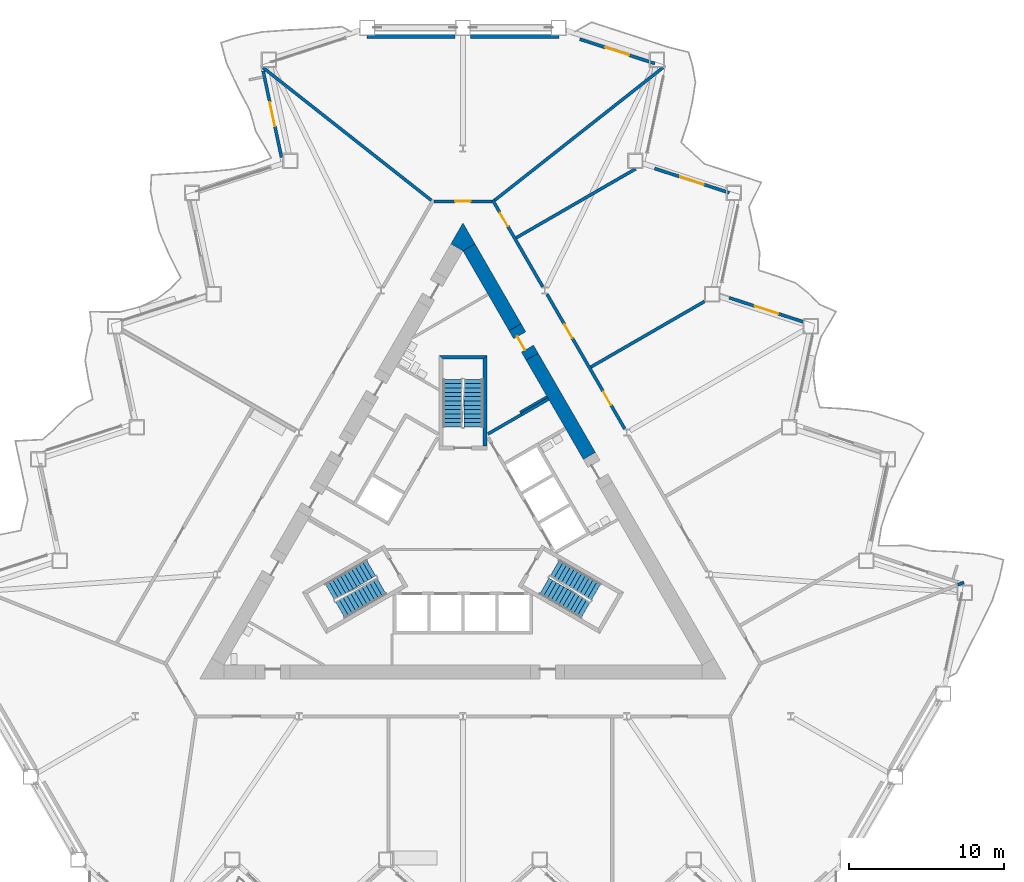
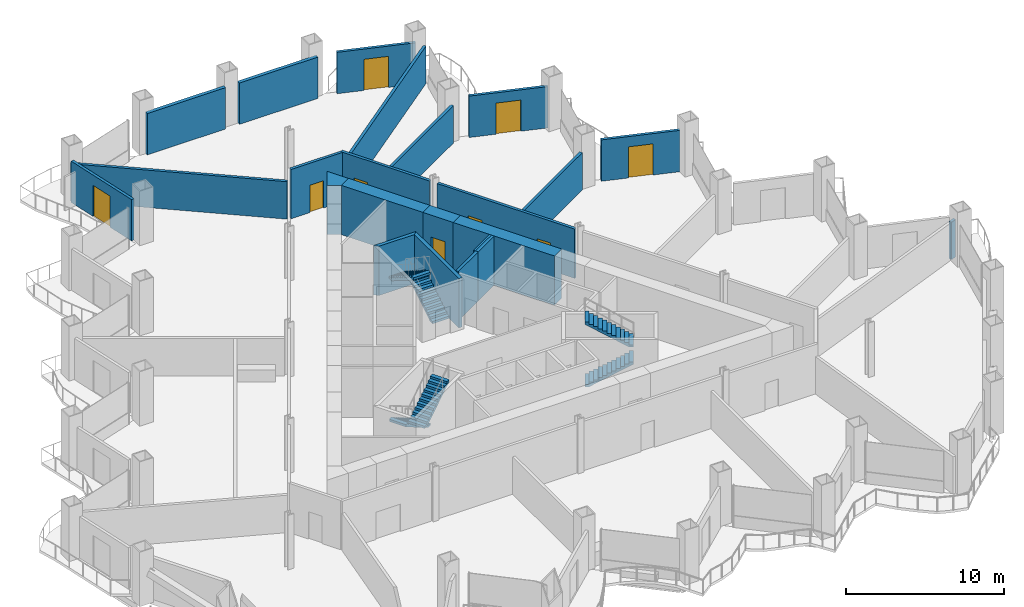
# One storey, part 12 of 20: 23 walls, 9 doors, 6 stair flights, 9 openings, 3 elements without a shape of their own.
"""IFC4 building model written with IfcOpenShell, lengths in metres."""

from ifc_helpers import new_model, si_unit, direction, frame, frame_2d, origin, place, context, subcontext, project, spatial, polyline, rectangle, outline, extrude, material, layer, layer_set, type_object, element, fill, aggregate, save


model = new_model("IFC4")

# Units and contexts
model_context = context("Model", 3, precision=1e-05, world=origin(), true_north=direction((0.0, 1.0)))
body_context = subcontext(model_context, "Body", "Model", "MODEL_VIEW")
ifc_project = project(units=[si_unit("LENGTHUNIT", "METRE"), si_unit("AREAUNIT", "SQUARE_METRE"), si_unit("VOLUMEUNIT", "CUBIC_METRE"), si_unit("PLANEANGLEUNIT", "RADIAN"), si_unit("MASSUNIT", "GRAM", prefix="KILO")], contexts=[model_context])

# Site, building, storey
site_placement = place(None, origin())
site = spatial("IfcSite", under=ifc_project, at=site_placement, CompositionType="ELEMENT")
building_placement = place(site_placement, origin())
building = spatial("IfcBuilding", under=site, at=building_placement, Name="Cormorant Prow Tower", CompositionType="ELEMENT")
storey_placement = place(building_placement, frame((0.0, 0.0, 34.199951171875)))
storey = spatial("IfcBuildingStorey", under=building, at=storey_placement, Name="L06", CompositionType="ELEMENT", Elevation=34.199951171875)

# Walls
ifc_material_1 = material(Name="Gypsum board partition")
ifc_layer_1 = layer(ifc_material_1, 0.14990234375)
ifc_layer_set_1 = layer_set([ifc_layer_1], Name="Gypsum board partition")
wall_type_1 = type_object("IfcWallType", Name="Core partition 150", PredefinedType="PARTITIONING", material=ifc_layer_set_1)
wall_1_placement = place(storey_placement, frame((3.693359375, 7.4150390625, 0.0), z_axis=(0.0, 0.0, 1.0), x_axis=(0.866035824272, 0.499981950752, 0.0)))
element("IfcWall", 1, at=wall_1_placement, inside=storey, type_object=wall_type_1, Name="Service room partition", PredefinedType="PARTITIONING", context=body_context, shape_type="SweptSolid", body=[
    extrude(rectangle(XDim=2.0087890625, YDim=0.14990234375, at=frame_2d((1.00439453125, 0.0))), origin(), (0.0, 0.0, 1.0), 3.800048828125),
])
ifc_material_2 = material(Name="Concrete 8000 psi", Category="concrete")
ifc_layer_2 = layer(ifc_material_2, 0.89990234375)
ifc_layer_set_2 = layer_set([ifc_layer_2], Name="Concrete 8000 psi")
wall_type_2 = type_object("IfcWallType", Name="Core shear wall 900", PredefinedType="SHEAR", material=ifc_layer_set_2)
wall_2_placement = place(storey_placement, frame((8.160400390625, 4.595947265625, 0.0), z_axis=(0.0, 0.0, 1.0), x_axis=(-0.500012259336, 0.866018325738, 0.0)))
element("IfcWall", 2, at=wall_2_placement, inside=storey, type_object=wall_type_2, Name="Core wall", PredefinedType="SHEAR", context=body_context, shape_type="SweptSolid", body=[
    extrude(rectangle(XDim=7.389404296875, YDim=0.89990234375, at=frame_2d((3.69482421875, 0.0))), origin(), (0.0, 0.0, 1.0), 3.800048828125),
])
wall_3_placement = place(storey_placement, frame((3.365478515625, 12.900390625, 0.0), z_axis=(0.0, 0.0, 1.0), x_axis=(-0.499981657175, 0.86603599376, 0.0)))
element("IfcWall", 3, at=wall_3_placement, inside=storey, type_object=wall_type_2, Name="Core wall", PredefinedType="SHEAR", context=body_context, shape_type="SweptSolid", body=[
    extrude(rectangle(XDim=5.951904296875, YDim=0.89990234375, at=frame_2d((2.97607421875, 0.0))), origin(), (0.0, 0.0, 1.0), 3.800048828125),
])
wall_4_placement = place(storey_placement, origin())
element("IfcWall", 4, at=wall_4_placement, inside=storey, type_object=wall_type_2, Name="Core wall corner", PredefinedType="SHEAR", context=body_context, shape_type="SweptSolid", body=[
    extrude(outline(polyline([(-0.779296875, 18.27978515625), (0.0, 19.6298828125), (0.779296875, 18.27978515625), (0.0, 17.829833984375), (-0.779296875, 18.27978515625)])), origin(), (0.0, 0.0, 1.0), 3.800048828125),
])

# Wall, opening, door
wall_5_placement = place(storey_placement, frame((4.465576171875, 10.995361328125, 0.0), z_axis=(0.0, 0.0, 1.0), x_axis=(-0.500077893725, 0.86598042715, 0.0)))
wall_5 = element("IfcWall", 5, at=wall_5_placement, inside=storey, type_object=wall_type_2, Name="Core wall door panel", PredefinedType="SHEAR", context=body_context, shape_type="SweptSolid", body=[
    extrude(rectangle(XDim=2.199951171875, YDim=0.89990234375, at=frame_2d((1.10009765625, 0.0))), origin(), (0.0, 0.0, 1.0), 3.800048828125),
])
opening_1_placement = place(wall_5_placement, frame((0.60009765625, 0.0, 0.0)))
opening_1 = element("IfcOpeningElement", 6, at=opening_1_placement, cuts=wall_5, Name="Opening L06-C20", PredefinedType="OPENING", context=body_context, shape_type="SweptSolid", body=[
    extrude(rectangle(XDim=1.0, YDim=2.10009765625, at=frame_2d((0.5, 1.050048828125))), frame((0.0, 0.4599609375, 0.0), z_axis=(0.0, -1.0, 0.0), x_axis=(1.0, 0.0, 0.0)), (0.0, 0.0, 1.0), 0.919921875),
])
ifc_material_3 = material(Name="Painted steel", Category="steel")
door_type_1 = type_object("IfcDoorType", Name="Service door 1000x2100", OperationType="NOTDEFINED", PredefinedType="DOOR", material=ifc_material_3)
door_1_placement = place(opening_1_placement, origin())
door_1 = element("IfcDoor", 7, at=door_1_placement, inside=storey, type_object=door_type_1, Name="Core door, Toilets (women) L06", OperationType="SINGLE_SWING_RIGHT", OverallHeight=2.10009765625, OverallWidth=1.0, PredefinedType="DOOR", context=body_context, shape_type="SweptSolid", body=[
    extrude(rectangle(XDim=1.0, YDim=2.10009765625, at=frame_2d((0.5, 1.050048828125))), frame((0.0, 0.205078125, 0.0), z_axis=(0.0, -1.0, 0.0), x_axis=(1.0, 0.0, 0.0)), (0.0, 0.0, 1.0), 0.050048828125),
])
fill(opening_1, door_1)

# Wall, openings, doors
ifc_material_4 = material(Name="Gypsum board corridor wall")
ifc_layer_3 = layer(ifc_material_4, 0.199951171875)
ifc_layer_set_3 = layer_set([ifc_layer_3], Name="Gypsum board corridor wall")
wall_type_3 = type_object("IfcWallType", Name="Corridor wall 200", PredefinedType="PARTITIONING", material=ifc_layer_set_3)
wall_6_placement = place(storey_placement, frame((5.42919921875, 15.0263671875, 0.0), z_axis=(0.0, 0.0, 1.0), x_axis=(0.50001002959, -0.86601961312, 0.0)))
wall_6 = element("IfcWall", 8, at=wall_6_placement, inside=storey, type_object=wall_type_3, Name="Corridor wall", PredefinedType="PARTITIONING", context=body_context, shape_type="SweptSolid", body=[
    extrude(rectangle(XDim=10.018798828125, YDim=0.199951171875, at=frame_2d((5.00927734375, 0.0))), origin(), (0.0, 0.0, 1.0), 3.800048828125),
])
opening_2_placement = place(wall_6_placement, frame((7.265625, 0.0, 0.0)))
opening_2 = element("IfcOpeningElement", 9, at=opening_2_placement, cuts=wall_6, Name="Opening L06-F07", PredefinedType="OPENING", context=body_context, shape_type="SweptSolid", body=[
    extrude(rectangle(XDim=1.0, YDim=2.10009765625, at=frame_2d((0.5, 1.050048828125))), frame((0.0, 0.10986328125, 0.0), z_axis=(0.0, -1.0, 0.0), x_axis=(1.0, 0.0, 0.0)), (0.0, 0.0, 1.0), 0.219970703125),
])
opening_3_placement = place(wall_6_placement, frame((2.25439453125, 0.0, 0.0)))
opening_3 = element("IfcOpeningElement", 10, at=opening_3_placement, cuts=wall_6, Name="Opening L06-F08", PredefinedType="OPENING", context=body_context, shape_type="SweptSolid", body=[
    extrude(rectangle(XDim=1.0, YDim=2.10009765625, at=frame_2d((0.5, 1.050048828125))), frame((0.0, 0.10986328125, 0.0), z_axis=(0.0, -1.0, 0.0), x_axis=(1.0, 0.0, 0.0)), (0.0, 0.0, 1.0), 0.219970703125),
])
ifc_material_5 = material(Name="Timber door leaf", Category="wood")
door_type_2 = type_object("IfcDoorType", Name="Office door 1000x2100", OperationType="NOTDEFINED", PredefinedType="DOOR", material=ifc_material_5)
door_2_placement = place(opening_2_placement, origin())
door_2 = element("IfcDoor", 11, at=door_2_placement, inside=storey, type_object=door_type_2, Name="Open-plan office door", OperationType="SINGLE_SWING_LEFT", OverallHeight=2.10009765625, OverallWidth=1.0, PredefinedType="DOOR", context=body_context, shape_type="SweptSolid", body=[
    extrude(rectangle(XDim=1.0, YDim=2.10009765625, at=frame_2d((0.5, 1.050048828125))), frame((0.0, 0.02490234375, 0.0), z_axis=(0.0, -1.0, 0.0), x_axis=(1.0, 0.0, 0.0)), (0.0, 0.0, 1.0), 0.050048828125),
])
fill(opening_2, door_2)
door_3_placement = place(opening_3_placement, origin())
door_3 = element("IfcDoor", 12, at=door_3_placement, inside=storey, type_object=door_type_2, Name="Tenant suite door", OperationType="SINGLE_SWING_RIGHT", OverallHeight=2.10009765625, OverallWidth=1.0, PredefinedType="DOOR", context=body_context, shape_type="SweptSolid", body=[
    extrude(rectangle(XDim=1.0, YDim=2.10009765625, at=frame_2d((0.5, 1.050048828125))), frame((0.0, 0.02490234375, 0.0), z_axis=(0.0, -1.0, 0.0), x_axis=(1.0, 0.0, 0.0)), (0.0, 0.0, 1.0), 0.050048828125),
])
fill(opening_3, door_3)

# Wall, opening, door
wall_7_placement = place(storey_placement, frame((1.9130859375, 21.116455078125, 0.0), z_axis=(0.0, 0.0, 1.0), x_axis=(0.500001069878, -0.866024786089, 0.0)))
wall_7 = element("IfcWall", 13, at=wall_7_placement, inside=storey, type_object=wall_type_3, Name="Corridor wall", PredefinedType="PARTITIONING", context=body_context, shape_type="SweptSolid", body=[
    extrude(rectangle(XDim=6.47265625, YDim=0.199951171875, at=frame_2d((3.236328125, 0.0))), origin(), (0.0, 0.0, 1.0), 3.800048828125),
])
opening_4_placement = place(wall_7_placement, frame((0.96044921875, 0.0, 0.0)))
opening_4 = element("IfcOpeningElement", 14, at=opening_4_placement, cuts=wall_7, Name="Opening L06-F09", PredefinedType="OPENING", context=body_context, shape_type="SweptSolid", body=[
    extrude(rectangle(XDim=1.0, YDim=2.10009765625, at=frame_2d((0.5, 1.050048828125))), frame((0.0, 0.10986328125, 0.0), z_axis=(0.0, -1.0, 0.0), x_axis=(1.0, 0.0, 0.0)), (0.0, 0.0, 1.0), 0.219970703125),
])
door_4_placement = place(opening_4_placement, origin())
door_4 = element("IfcDoor", 15, at=door_4_placement, inside=storey, type_object=door_type_2, Name="Private office door", OperationType="SINGLE_SWING_RIGHT", OverallHeight=2.10009765625, OverallWidth=1.0, PredefinedType="DOOR", context=body_context, shape_type="SweptSolid", body=[
    extrude(rectangle(XDim=1.0, YDim=2.10009765625, at=frame_2d((0.5, 1.050048828125))), frame((0.0, 0.02490234375, 0.0), z_axis=(0.0, -1.0, 0.0), x_axis=(1.0, 0.0, 0.0)), (0.0, 0.0, 1.0), 0.050048828125),
])
fill(opening_4, door_4)

wall_8_placement = place(storey_placement, frame((-1.863037109375, 21.02978515625, 0.0), z_axis=(0.0, 0.0, 1.0), x_axis=(1.0, 0.0, 0.0)))
wall_8 = element("IfcWall", 16, at=wall_8_placement, inside=storey, type_object=wall_type_3, Name="Corridor wall", PredefinedType="PARTITIONING", context=body_context, shape_type="SweptSolid", body=[
    extrude(rectangle(XDim=3.72607421875, YDim=0.199951171875, at=frame_2d((1.863037109375, 0.0))), origin(), (0.0, 0.0, 1.0), 3.800048828125),
])
opening_5_placement = place(wall_8_placement, frame((1.363037109375, 0.0, 0.0)))
opening_5 = element("IfcOpeningElement", 17, at=opening_5_placement, cuts=wall_8, Name="Opening L06-F10", PredefinedType="OPENING", context=body_context, shape_type="SweptSolid", body=[
    extrude(rectangle(XDim=1.0, YDim=2.10009765625, at=frame_2d((0.5, 1.050048828125))), frame((0.0, 0.10986328125, 0.0), z_axis=(0.0, -1.0, 0.0), x_axis=(1.0, 0.0, 0.0)), (0.0, 0.0, 1.0), 0.219970703125),
])
door_5_placement = place(opening_5_placement, origin())
door_5 = element("IfcDoor", 18, at=door_5_placement, inside=storey, type_object=door_type_2, Name="Tenant suite door", OperationType="SINGLE_SWING_RIGHT", OverallHeight=2.10009765625, OverallWidth=1.0, PredefinedType="DOOR", context=body_context, shape_type="SweptSolid", body=[
    extrude(rectangle(XDim=1.0, YDim=2.10009765625, at=frame_2d((0.5, 1.050048828125))), frame((0.0, 0.02490234375, 0.0), z_axis=(0.0, -1.0, 0.0), x_axis=(1.0, 0.0, 0.0)), (0.0, 0.0, 1.0), 0.050048828125),
])
fill(opening_5, door_5)

# Walls
ifc_material_6 = material(Name="Gypsum board demising wall")
ifc_layer_4 = layer(ifc_material_6, 0.199951171875)
ifc_layer_set_4 = layer_set([ifc_layer_4], Name="Gypsum board demising wall")
wall_type_4 = type_object("IfcWallType", Name="Demising wall 200", PredefinedType="PARTITIONING", material=ifc_layer_set_4)
for number, where, z_axis, x_axis, name in (
    (19, (-12.90771484375, 29.65869140625, 0.0), (0.0, 0.0, 1.0), (0.78529358076, -0.619123567648, 0.0), "Demising wall"),
    (20, (2.04150390625, 21.091796875, 0.0), (0.0, 0.0, 1.0), (0.78529358076, 0.619123567648, 0.0), "Demising wall"),
):
    element("IfcWall", number, at=place(storey_placement, frame(where, z_axis=z_axis, x_axis=x_axis)), inside=storey, type_object=wall_type_4, Name=name, PredefinedType="PARTITIONING", context=body_context, shape_type="SweptSolid", body=[
        extrude(rectangle(XDim=13.837158203125, YDim=0.199951171875, at=frame_2d((6.91845703125, 0.0))), origin(), (0.0, 0.0, 1.0), 2.88525390625),
    ])
wall_9_placement = place(storey_placement, frame((3.438720703125, 18.673828125, 0.0), z_axis=(0.0, 0.0, 1.0), x_axis=(0.866020616849, 0.500008291124, 0.0)))
element("IfcWall", 21, at=wall_9_placement, inside=storey, type_object=wall_type_4, Name="Demising wall", PredefinedType="PARTITIONING", context=body_context, shape_type="SweptSolid", body=[
    extrude(rectangle(XDim=8.896728515625, YDim=0.199951171875, at=frame_2d((4.4482421875, 0.0))), origin(), (0.0, 0.0, 1.0), 2.88525390625),
])
wall_10_placement = place(storey_placement, frame((8.25634765625, 10.32958984375, 0.0), z_axis=(0.0, 0.0, 1.0), x_axis=(0.866026229868, 0.499998569178, 0.0)))
element("IfcWall", 22, at=wall_10_placement, inside=storey, type_object=wall_type_4, Name="Demising wall", PredefinedType="PARTITIONING", context=body_context, shape_type="SweptSolid", body=[
    extrude(rectangle(XDim=8.47021484375, YDim=0.199951171875, at=frame_2d((4.235107421875, 0.0))), origin(), (0.0, 0.0, 1.0), 2.88525390625),
])
wall_11_placement = place(storey_placement, frame((31.947509765625, -3.727294921875, 0.0), z_axis=(0.0, 0.0, 1.0), x_axis=(0.928757356094, 0.370688243003, 0.0)))
element("IfcWall", 23, at=wall_11_placement, inside=storey, type_object=wall_type_4, Name="Demising wall", PredefinedType="PARTITIONING", context=body_context, shape_type="SweptSolid", body=[
    extrude(rectangle(XDim=0.41943359375, YDim=0.199951171875, at=frame_2d((0.209716796875, 0.0))), origin(), (0.0, 0.0, 1.0), 2.88525390625),
])
ifc_material_7 = material(Name="Concrete 8000 psi", Category="concrete")
ifc_layer_5 = layer(ifc_material_7, 0.199951171875)
ifc_layer_set_5 = layer_set([ifc_layer_5], Name="Concrete 8000 psi")
wall_type_5 = type_object("IfcWallType", Name="Lift shaft wall 200", PredefinedType="SHEAR", material=ifc_layer_set_5)
wall_12_placement = place(storey_placement, origin())
element("IfcWall", 24, at=wall_12_placement, inside=storey, type_object=wall_type_5, Name="Lift shaft walls, ENE block", PredefinedType="SHEAR", context=body_context, shape_type="SweptSolid", body=[
    extrude(outline(polyline([(1.560546875, 6.09716796875), (3.730712890625, 7.35009765625), (3.830810546875, 7.177001953125), (1.660400390625, 5.923828125), (1.560546875, 6.09716796875)])), origin(), (0.0, 0.0, 1.0), 3.800048828125),
])
wall_13_placement = place(storey_placement, frame((3.78076171875, 7.263427734375, 0.0), z_axis=(0.0, 0.0, 1.0), x_axis=(0.865983199114, 0.50007309351, 0.0)))
element("IfcWall", 25, at=wall_13_placement, inside=storey, type_object=wall_type_5, Name="Store side wall", PredefinedType="SHEAR", context=body_context, shape_type="SweptSolid", body=[
    extrude(rectangle(XDim=2.009033203125, YDim=0.199951171875, at=frame_2d((1.00439453125, 0.0))), origin(), (0.0, 0.0, 1.0), 3.800048828125),
])
ifc_material_8 = material(Name="Concrete 8000 psi", Category="concrete")
ifc_layer_6 = layer(ifc_material_8, 0.25)
ifc_layer_set_6 = layer_set([ifc_layer_6], Name="Concrete 8000 psi")
wall_type_6 = type_object("IfcWallType", Name="Stair wall 250", PredefinedType="SHEAR", material=ifc_layer_set_6)
wall_14_placement = place(storey_placement, origin())
element("IfcWall", 26, at=wall_14_placement, inside=storey, type_object=wall_type_6, Name="Stair ST3 enclosure wall (flank)", PredefinedType="SHEAR", context=body_context, shape_type="SweptSolid", body=[
    extrude(outline(polyline([(1.5439453125, 5.23681640625), (1.5439453125, 11.0869140625), (1.2939453125, 10.8369140625), (1.2939453125, 5.23681640625), (1.5439453125, 5.23681640625)])), origin(), (0.0, 0.0, 1.0), 3.800048828125),
])
wall_15_placement = place(storey_placement, origin())
element("IfcWall", 27, at=wall_15_placement, inside=storey, type_object=wall_type_6, Name="Stair ST3 enclosure wall (end)", PredefinedType="SHEAR", context=body_context, shape_type="SweptSolid", body=[
    extrude(outline(polyline([(1.5439453125, 11.0869140625), (-1.5439453125, 11.0869140625), (-1.2939453125, 10.8369140625), (1.2939453125, 10.8369140625), (1.5439453125, 11.0869140625)])), origin(), (0.0, 0.0, 1.0), 3.800048828125),
])
ifc_material_9 = material(Name="Terracotta", Category="masonry")
ifc_layer_7 = layer(ifc_material_9, 0.25)
ifc_layer_set_7 = layer_set([ifc_layer_7], Name="Terracotta")
wall_type_7 = type_object("IfcWallType", Name="Terracotta bay wall 250", PredefinedType="SOLIDWALL", material=ifc_layer_set_7)
for number, where, z_axis, x_axis, name in (
    (28, (6.209228515625, 31.679931640625, 0.0), (0.0, 0.0, 1.0), (-1.0, 0.0, 0.0), "Terracotta bay wall N00"),
    (29, (-0.5, 31.679931640625, 0.0), (0.0, 0.0, 1.0), (-1.0, 0.0, 0.0), "Terracotta bay wall N01"),
):
    element("IfcWall", number, at=place(storey_placement, frame(where, z_axis=z_axis, x_axis=x_axis)), inside=storey, type_object=wall_type_7, Name=name, PredefinedType="SOLIDWALL", context=body_context, shape_type="SweptSolid", body=[
        extrude(rectangle(XDim=5.709228515625, YDim=0.25, at=frame_2d((2.8544921875, 0.0))), origin(), (0.0, 0.0, 1.0), 3.18896484375),
    ])

# Wall, opening, door
ifc_material_10 = material(Name="Terracotta", Category="masonry")
ifc_layer_8 = layer(ifc_material_10, 0.199951171875)
ifc_layer_set_8 = layer_set([ifc_layer_8], Name="Terracotta")
wall_type_8 = type_object("IfcWallType", Name="Terracotta jamb wall 200", PredefinedType="SOLIDWALL", material=ifc_layer_set_8)
wall_16_placement = place(storey_placement, frame((22.01318359375, 13.2353515625, 0.0), z_axis=(0.0, 0.0, 1.0), x_axis=(-0.951051031059, 0.309033875687, 0.0)))
wall_16 = element("IfcWall", 30, at=wall_16_placement, inside=storey, type_object=wall_type_8, Name="Terracotta jamb wall ENE05", PredefinedType="SOLIDWALL", context=body_context, shape_type="SweptSolid", body=[
    extrude(rectangle(XDim=5.07666015625, YDim=0.199951171875, at=frame_2d((2.538330078125, 0.0))), origin(), (0.0, 0.0, 1.0), 3.18896484375),
])
opening_6_placement = place(wall_16_placement, frame((1.73828125, 0.0, 0.0)))
opening_6 = element("IfcOpeningElement", 31, at=opening_6_placement, cuts=wall_16, Name="Opening ED06.08", PredefinedType="OPENING", context=body_context, shape_type="SweptSolid", body=[
    extrude(rectangle(XDim=1.60009765625, YDim=2.39990234375, at=frame_2d((0.800048828125, 1.199951171875))), frame((0.0, 0.10986328125, 0.0), z_axis=(0.0, -1.0, 0.0), x_axis=(1.0, 0.0, 0.0)), (0.0, 0.0, 1.0), 0.219970703125),
])
ifc_material_11 = material(Name="Aluminium 6063-T6", Category="aluminium")
door_type_3 = type_object("IfcDoorType", Name="Balcony door 1600x2400", OperationType="DOUBLE_DOOR_SINGLE_SWING", PredefinedType="DOOR", material=ifc_material_11)
door_6_placement = place(opening_6_placement, origin())
door_6 = element("IfcDoor", 32, at=door_6_placement, inside=storey, type_object=door_type_3, Name="Balcony door ENE05 ED06.08", OperationType="DOUBLE_DOOR_SINGLE_SWING", OverallHeight=2.39990234375, OverallWidth=1.60009765625, PredefinedType="DOOR", context=body_context, shape_type="SweptSolid", body=[
    extrude(rectangle(XDim=1.60009765625, YDim=2.39990234375, at=frame_2d((0.800048828125, 1.199951171875))), frame((0.0, 0.02490234375, 0.0), z_axis=(0.0, -1.0, 0.0), x_axis=(1.0, 0.0, 0.0)), (0.0, 0.0, 1.0), 0.050048828125),
])
fill(opening_6, door_6)

wall_17_placement = place(storey_placement, frame((17.195556640625, 21.57958984375, 0.0), z_axis=(0.0, 0.0, 1.0), x_axis=(-0.951051031059, 0.309033875687, 0.0)))
wall_17 = element("IfcWall", 33, at=wall_17_placement, inside=storey, type_object=wall_type_8, Name="Terracotta jamb wall ENE07", PredefinedType="SOLIDWALL", context=body_context, shape_type="SweptSolid", body=[
    extrude(rectangle(XDim=5.07666015625, YDim=0.199951171875, at=frame_2d((2.538330078125, 0.0))), origin(), (0.0, 0.0, 1.0), 3.18896484375),
])
opening_7_placement = place(wall_17_placement, frame((1.73828125, 0.0, 0.0)))
opening_7 = element("IfcOpeningElement", 34, at=opening_7_placement, cuts=wall_17, Name="Opening ED06.09", PredefinedType="OPENING", context=body_context, shape_type="SweptSolid", body=[
    extrude(rectangle(XDim=1.60009765625, YDim=2.39990234375, at=frame_2d((0.800048828125, 1.199951171875))), frame((0.0, 0.10986328125, 0.0), z_axis=(0.0, -1.0, 0.0), x_axis=(1.0, 0.0, 0.0)), (0.0, 0.0, 1.0), 0.219970703125),
])
door_7_placement = place(opening_7_placement, origin())
door_7 = element("IfcDoor", 35, at=door_7_placement, inside=storey, type_object=door_type_3, Name="Balcony door ENE07 ED06.09", OperationType="DOUBLE_DOOR_SINGLE_SWING", OverallHeight=2.39990234375, OverallWidth=1.60009765625, PredefinedType="DOOR", context=body_context, shape_type="SweptSolid", body=[
    extrude(rectangle(XDim=1.60009765625, YDim=2.39990234375, at=frame_2d((0.800048828125, 1.199951171875))), frame((0.0, 0.02490234375, 0.0), z_axis=(0.0, -1.0, 0.0), x_axis=(1.0, 0.0, 0.0)), (0.0, 0.0, 1.0), 0.050048828125),
])
fill(opening_7, door_7)

wall_18_placement = place(storey_placement, frame((12.378173828125, 29.923828125, 0.0), z_axis=(0.0, 0.0, 1.0), x_axis=(-0.951055623544, 0.309019741968, 0.0)))
wall_18 = element("IfcWall", 36, at=wall_18_placement, inside=storey, type_object=wall_type_8, Name="Terracotta jamb wall ENE09", PredefinedType="SOLIDWALL", context=body_context, shape_type="SweptSolid", body=[
    extrude(rectangle(XDim=5.076904296875, YDim=0.199951171875, at=frame_2d((2.53857421875, 0.0))), origin(), (0.0, 0.0, 1.0), 3.18896484375),
])
opening_8_placement = place(wall_18_placement, frame((1.73828125, 0.0, 0.0)))
opening_8 = element("IfcOpeningElement", 37, at=opening_8_placement, cuts=wall_18, Name="Opening ED06.10", PredefinedType="OPENING", context=body_context, shape_type="SweptSolid", body=[
    extrude(rectangle(XDim=1.60009765625, YDim=2.39990234375, at=frame_2d((0.800048828125, 1.199951171875))), frame((0.0, 0.10986328125, 0.0), z_axis=(0.0, -1.0, 0.0), x_axis=(1.0, 0.0, 0.0)), (0.0, 0.0, 1.0), 0.219970703125),
])
door_8_placement = place(opening_8_placement, origin())
door_8 = element("IfcDoor", 38, at=door_8_placement, inside=storey, type_object=door_type_3, Name="Balcony door ENE09 ED06.10", OperationType="DOUBLE_DOOR_SINGLE_SWING", OverallHeight=2.39990234375, OverallWidth=1.60009765625, PredefinedType="DOOR", context=body_context, shape_type="SweptSolid", body=[
    extrude(rectangle(XDim=1.60009765625, YDim=2.39990234375, at=frame_2d((0.800048828125, 1.199951171875))), frame((0.0, 0.02490234375, 0.0), z_axis=(0.0, -1.0, 0.0), x_axis=(1.0, 0.0, 0.0)), (0.0, 0.0, 1.0), 0.050048828125),
])
fill(opening_8, door_8)

wall_19_placement = place(storey_placement, frame((-12.89990234375, 29.44677734375, 0.0), z_axis=(0.0, 0.0, 1.0), x_axis=(0.207929909881, -0.978143727975, 0.0)))
wall_19 = element("IfcWall", 39, at=wall_19_placement, inside=storey, type_object=wall_type_8, Name="Terracotta jamb wall WNW01", PredefinedType="SOLIDWALL", context=body_context, shape_type="SweptSolid", body=[
    extrude(rectangle(XDim=5.7041015625, YDim=0.199951171875, at=frame_2d((2.85205078125, 0.0))), origin(), (0.0, 0.0, 1.0), 3.18896484375),
])
opening_9_placement = place(wall_19_placement, frame((2.057373046875, 0.0, 0.0)))
opening_9 = element("IfcOpeningElement", 40, at=opening_9_placement, cuts=wall_19, Name="Opening ED06.11", PredefinedType="OPENING", context=body_context, shape_type="SweptSolid", body=[
    extrude(rectangle(XDim=1.60009765625, YDim=2.39990234375, at=frame_2d((0.800048828125, 1.199951171875))), frame((0.0, 0.10986328125, 0.0), z_axis=(0.0, -1.0, 0.0), x_axis=(1.0, 0.0, 0.0)), (0.0, 0.0, 1.0), 0.219970703125),
])
door_9_placement = place(opening_9_placement, origin())
door_9 = element("IfcDoor", 41, at=door_9_placement, inside=storey, type_object=door_type_3, Name="Balcony door WNW01 ED06.11", OperationType="DOUBLE_DOOR_SINGLE_SWING", OverallHeight=2.39990234375, OverallWidth=1.60009765625, PredefinedType="DOOR", context=body_context, shape_type="SweptSolid", body=[
    extrude(rectangle(XDim=1.60009765625, YDim=2.39990234375, at=frame_2d((0.800048828125, 1.199951171875))), frame((0.0, 0.02490234375, 0.0), z_axis=(0.0, -1.0, 0.0), x_axis=(1.0, 0.0, 0.0)), (0.0, 0.0, 1.0), 0.050048828125),
])
fill(opening_9, door_9)

# Stair, stair flights
ifc_material_12 = material(Name="Exit stair 24 risers")
stair_type = type_object("IfcStairType", Name="Exit stair 24 risers", PredefinedType="HALF_TURN_STAIR", material=ifc_material_12)
stair_1_placement = place(storey_placement, origin())
stair_1 = element("IfcStair", 42, at=stair_1_placement, inside=storey, type_object=stair_type, Name="L06 Exit stair ST1", PredefinedType="HALF_TURN_STAIR")
ifc_material_13 = material(Name="Concrete 5000 psi", Category="concrete")
stair_flight_type = type_object("IfcStairFlightType", Name="Stair flight 1219", PredefinedType="STRAIGHT", material=ifc_material_13)
stair_flight_1_placement = place(storey_placement, frame((-5.93310546875, -2.635009765625, 0.0), z_axis=(0.0, 0.0, 1.0), x_axis=(-0.866025403784, -0.5, 0.0)))
stair_flight_1 = element("IfcStairFlight", 43, at=stair_flight_1_placement, type_object=stair_flight_type, Name="ST1 flight 1", NumberOfRisers=12, NumberOfTreads=11, PredefinedType="STRAIGHT", RiserHeight=0.175, TreadLength=0.28, context=body_context, shape_type="SweptSolid", body=[
    extrude(outline(polyline([(0.0, 0.0), (0.0, 0.175048828125), (0.280029296875, 0.175048828125), (0.280029296875, 0.35009765625), (0.56005859375, 0.35009765625), (0.56005859375, 0.52490234375), (0.840087890625, 0.52490234375), (0.840087890625, 0.699951171875), (1.1201171875, 0.699951171875), (1.1201171875, 0.875), (1.39990234375, 0.875), (1.39990234375, 1.050048828125), (1.679931640625, 1.050048828125), (1.679931640625, 1.22509765625), (1.9599609375, 1.22509765625), (1.9599609375, 1.39990234375), (2.239990234375, 1.39990234375), (2.239990234375, 1.574951171875), (2.52001953125, 1.574951171875), (2.52001953125, 1.75), (2.800048828125, 1.75), (2.800048828125, 1.925048828125), (3.080078125, 1.925048828125), (3.080078125, 2.10009765625), (3.080078125, 1.748291015625), (0.28271484375, 0.0), (0.0, 0.0)])), frame((0.0, 0.609375, 0.0), z_axis=(0.0, -1.0, 0.0), x_axis=(1.0, 0.0, 0.0)), (0.0, 0.0, 1.0), 1.218994140625),
])
stair_flight_2_placement = place(storey_placement, frame((-7.916015625, -5.360595703125, 2.10009765625), z_axis=(0.0, 0.0, 1.0), x_axis=(0.866025403784, 0.5, 0.0)))
stair_flight_2 = element("IfcStairFlight", 44, at=stair_flight_2_placement, type_object=stair_flight_type, Name="ST1 flight 2", NumberOfRisers=12, NumberOfTreads=11, PredefinedType="STRAIGHT", RiserHeight=0.175, TreadLength=0.28, context=body_context, shape_type="SweptSolid", body=[
    extrude(outline(polyline([(0.0, 0.0), (0.0, 0.175048828125), (0.280029296875, 0.175048828125), (0.280029296875, 0.35009765625), (0.56005859375, 0.35009765625), (0.56005859375, 0.52490234375), (0.840087890625, 0.52490234375), (0.840087890625, 0.699951171875), (1.1201171875, 0.699951171875), (1.1201171875, 0.875), (1.39990234375, 0.875), (1.39990234375, 1.050048828125), (1.679931640625, 1.050048828125), (1.679931640625, 1.22509765625), (1.9599609375, 1.22509765625), (1.9599609375, 1.39990234375), (2.239990234375, 1.39990234375), (2.239990234375, 1.574951171875), (2.52001953125, 1.574951171875), (2.52001953125, 1.75), (2.800048828125, 1.75), (2.800048828125, 1.925048828125), (3.080078125, 1.925048828125), (3.080078125, 2.10009765625), (3.080078125, 1.748291015625), (0.28271484375, 0.0), (0.0, 0.0)])), frame((0.0, 0.609375, 0.0), z_axis=(0.0, -1.0, 0.0), x_axis=(1.0, 0.0, 0.0)), (0.0, 0.0, 1.0), 1.218994140625),
])
aggregate(stair_1, [stair_flight_1, stair_flight_2])

stair_2_placement = place(storey_placement, origin())
stair_2 = element("IfcStair", 45, at=stair_2_placement, inside=storey, type_object=stair_type, Name="L06 Exit stair ST2", PredefinedType="HALF_TURN_STAIR")
stair_flight_3_placement = place(storey_placement, frame((5.24853515625, -3.82080078125, 0.0), z_axis=(0.0, 0.0, 1.0), x_axis=(0.866025403784, -0.5, 0.0)))
stair_flight_3 = element("IfcStairFlight", 46, at=stair_flight_3_placement, type_object=stair_flight_type, Name="ST2 flight 1", NumberOfRisers=12, NumberOfTreads=11, PredefinedType="STRAIGHT", RiserHeight=0.175, TreadLength=0.28, context=body_context, shape_type="SweptSolid", body=[
    extrude(outline(polyline([(0.0, 0.0), (0.0, 0.175048828125), (0.280029296875, 0.175048828125), (0.280029296875, 0.35009765625), (0.56005859375, 0.35009765625), (0.56005859375, 0.52490234375), (0.840087890625, 0.52490234375), (0.840087890625, 0.699951171875), (1.1201171875, 0.699951171875), (1.1201171875, 0.875), (1.39990234375, 0.875), (1.39990234375, 1.050048828125), (1.679931640625, 1.050048828125), (1.679931640625, 1.22509765625), (1.9599609375, 1.22509765625), (1.9599609375, 1.39990234375), (2.239990234375, 1.39990234375), (2.239990234375, 1.574951171875), (2.52001953125, 1.574951171875), (2.52001953125, 1.75), (2.800048828125, 1.75), (2.800048828125, 1.925048828125), (3.080078125, 1.925048828125), (3.080078125, 2.10009765625), (3.080078125, 1.748291015625), (0.28271484375, 0.0), (0.0, 0.0)])), frame((0.0, 0.609375, 0.0), z_axis=(0.0, -1.0, 0.0), x_axis=(1.0, 0.0, 0.0)), (0.0, 0.0, 1.0), 1.218994140625),
])
stair_flight_4_placement = place(storey_placement, frame((8.6005859375, -4.175048828125, 2.10009765625), z_axis=(0.0, 0.0, 1.0), x_axis=(-0.866025403784, 0.5, 0.0)))
stair_flight_4 = element("IfcStairFlight", 47, at=stair_flight_4_placement, type_object=stair_flight_type, Name="ST2 flight 2", NumberOfRisers=12, NumberOfTreads=11, PredefinedType="STRAIGHT", RiserHeight=0.175, TreadLength=0.28, context=body_context, shape_type="SweptSolid", body=[
    extrude(outline(polyline([(0.0, 0.0), (0.0, 0.175048828125), (0.280029296875, 0.175048828125), (0.280029296875, 0.35009765625), (0.56005859375, 0.35009765625), (0.56005859375, 0.52490234375), (0.840087890625, 0.52490234375), (0.840087890625, 0.699951171875), (1.1201171875, 0.699951171875), (1.1201171875, 0.875), (1.39990234375, 0.875), (1.39990234375, 1.050048828125), (1.679931640625, 1.050048828125), (1.679931640625, 1.22509765625), (1.9599609375, 1.22509765625), (1.9599609375, 1.39990234375), (2.239990234375, 1.39990234375), (2.239990234375, 1.574951171875), (2.52001953125, 1.574951171875), (2.52001953125, 1.75), (2.800048828125, 1.75), (2.800048828125, 1.925048828125), (3.080078125, 1.925048828125), (3.080078125, 2.10009765625), (3.080078125, 1.748291015625), (0.28271484375, 0.0), (0.0, 0.0)])), frame((0.0, 0.609375, 0.0), z_axis=(0.0, -1.0, 0.0), x_axis=(1.0, 0.0, 0.0)), (0.0, 0.0, 1.0), 1.218994140625),
])
aggregate(stair_2, [stair_flight_3, stair_flight_4])

stair_3_placement = place(storey_placement, origin())
stair_3 = element("IfcStair", 48, at=stair_3_placement, inside=storey, type_object=stair_type, Name="L06 Exit stair ST3", PredefinedType="HALF_TURN_STAIR")
stair_flight_5_placement = place(storey_placement, frame((0.6845703125, 6.455810546875, 0.0), z_axis=(0.0, 0.0, 1.0), x_axis=(0.0, 1.0, 0.0)))
stair_flight_5 = element("IfcStairFlight", 49, at=stair_flight_5_placement, type_object=stair_flight_type, Name="ST3 flight 1", NumberOfRisers=12, NumberOfTreads=11, PredefinedType="STRAIGHT", RiserHeight=0.175, TreadLength=0.28, context=body_context, shape_type="SweptSolid", body=[
    extrude(outline(polyline([(0.0, 0.0), (0.0, 0.175048828125), (0.280029296875, 0.175048828125), (0.280029296875, 0.35009765625), (0.56005859375, 0.35009765625), (0.56005859375, 0.52490234375), (0.840087890625, 0.52490234375), (0.840087890625, 0.699951171875), (1.1201171875, 0.699951171875), (1.1201171875, 0.875), (1.39990234375, 0.875), (1.39990234375, 1.050048828125), (1.679931640625, 1.050048828125), (1.679931640625, 1.22509765625), (1.9599609375, 1.22509765625), (1.9599609375, 1.39990234375), (2.239990234375, 1.39990234375), (2.239990234375, 1.574951171875), (2.52001953125, 1.574951171875), (2.52001953125, 1.75), (2.800048828125, 1.75), (2.800048828125, 1.925048828125), (3.080078125, 1.925048828125), (3.080078125, 2.10009765625), (3.080078125, 1.748291015625), (0.28271484375, 0.0), (0.0, 0.0)])), frame((0.0, 0.609375, 0.0), z_axis=(0.0, -1.0, 0.0), x_axis=(1.0, 0.0, 0.0)), (0.0, 0.0, 1.0), 1.218994140625),
])
stair_flight_6_placement = place(storey_placement, frame((-0.6845703125, 9.535888671875, 2.10009765625), z_axis=(0.0, 0.0, 1.0), x_axis=(0.0, -1.0, 0.0)))
stair_flight_6 = element("IfcStairFlight", 50, at=stair_flight_6_placement, type_object=stair_flight_type, Name="ST3 flight 2", NumberOfRisers=12, NumberOfTreads=11, PredefinedType="STRAIGHT", RiserHeight=0.175, TreadLength=0.28, context=body_context, shape_type="SweptSolid", body=[
    extrude(outline(polyline([(0.0, 0.0), (0.0, 0.175048828125), (0.280029296875, 0.175048828125), (0.280029296875, 0.35009765625), (0.56005859375, 0.35009765625), (0.56005859375, 0.52490234375), (0.840087890625, 0.52490234375), (0.840087890625, 0.699951171875), (1.1201171875, 0.699951171875), (1.1201171875, 0.875), (1.39990234375, 0.875), (1.39990234375, 1.050048828125), (1.679931640625, 1.050048828125), (1.679931640625, 1.22509765625), (1.9599609375, 1.22509765625), (1.9599609375, 1.39990234375), (2.239990234375, 1.39990234375), (2.239990234375, 1.574951171875), (2.52001953125, 1.574951171875), (2.52001953125, 1.75), (2.800048828125, 1.75), (2.800048828125, 1.925048828125), (3.080078125, 1.925048828125), (3.080078125, 2.10009765625), (3.080078125, 1.748291015625), (0.28271484375, 0.0), (0.0, 0.0)])), frame((0.0, 0.609375, 0.0), z_axis=(0.0, -1.0, 0.0), x_axis=(1.0, 0.0, 0.0)), (0.0, 0.0, 1.0), 1.218994140625),
])
aggregate(stair_3, [stair_flight_5, stair_flight_6])

save(model, "model.ifc")
